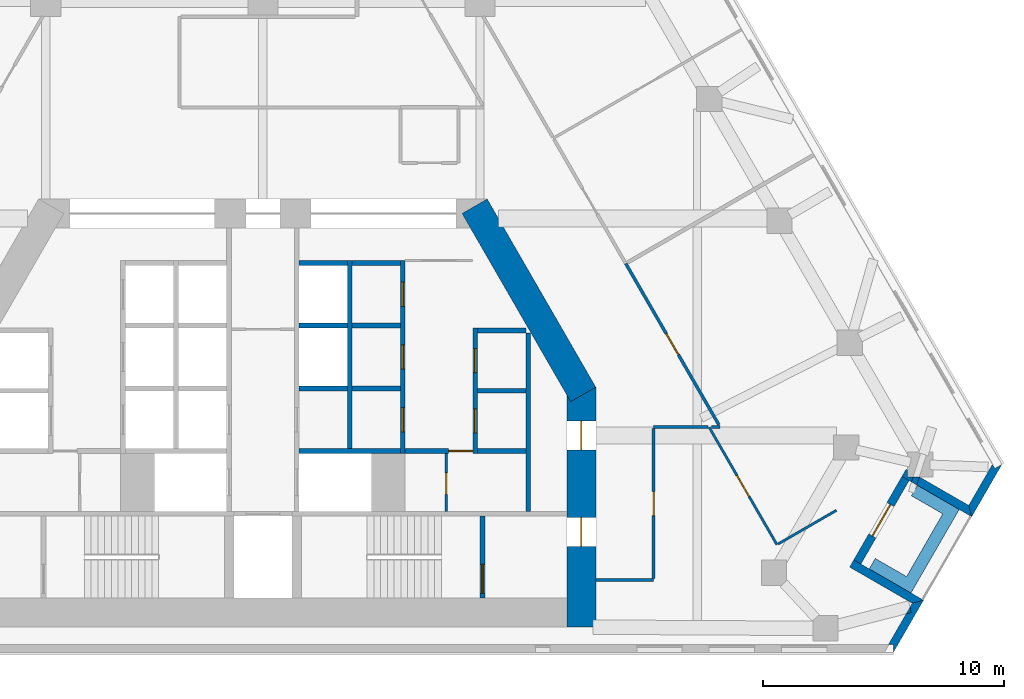
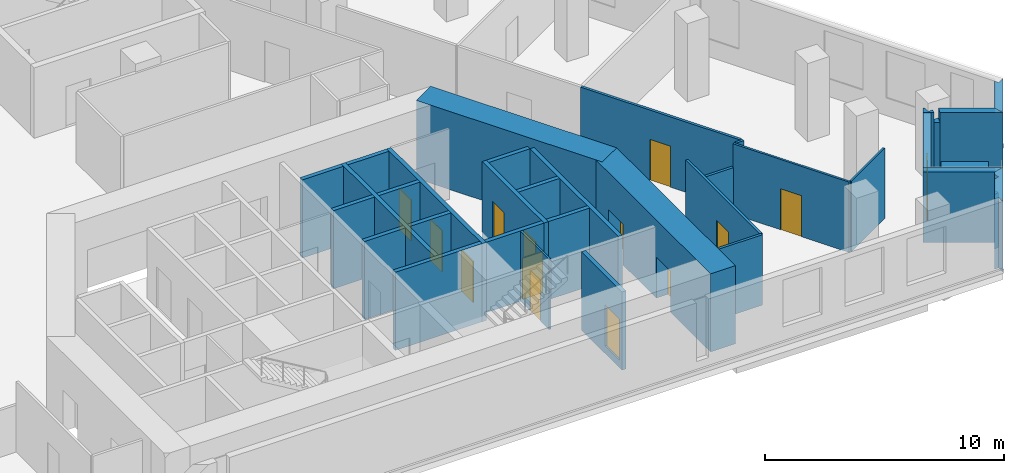
# One storey, part 6 of 9: 35 walls, 14 doors, 14 openings.
"""IFC4 building model written with IfcOpenShell, lengths in metres."""

from ifc_helpers import new_model, si_unit, direction, frame, frame_2d, origin, place, context, subcontext, project, spatial, polyline, rectangle, outline, extrude, material, layer, layer_set, type_object, element, fill, save


model = new_model("IFC4")

# Units and contexts
model_context = context("Model", 3, precision=1e-05, world=origin(), true_north=direction((0.0, 1.0)))
body_context = subcontext(model_context, "Body", "Model", "MODEL_VIEW")
ifc_project = project(units=[si_unit("LENGTHUNIT", "METRE"), si_unit("AREAUNIT", "SQUARE_METRE"), si_unit("VOLUMEUNIT", "CUBIC_METRE"), si_unit("PLANEANGLEUNIT", "RADIAN"), si_unit("MASSUNIT", "GRAM", prefix="KILO")], contexts=[model_context])

# Site, building, storey
site_placement = place(None, origin())
site = spatial("IfcSite", under=ifc_project, at=site_placement, CompositionType="ELEMENT")
building_placement = place(site_placement, origin())
building = spatial("IfcBuilding", under=site, at=building_placement, Name="Fogline Exchange Tower", CompositionType="ELEMENT")
storey_placement = place(building_placement, frame((0.0, 0.0, 104.10009765625)))
storey = spatial("IfcBuildingStorey", under=building, at=storey_placement, Name="L22", CompositionType="ELEMENT", Elevation=104.10009765625)

# Wall, opening, door
ifc_material_1 = material(Name="Blockwork partition", Category="masonry")
ifc_layer_1 = layer(ifc_material_1, 0.10009765625)
ifc_layer_set_1 = layer_set([ifc_layer_1], Name="CW10")
wall_type_1 = type_object("IfcWallType", Name="CW10", PredefinedType="PARTITIONING", material=ifc_layer_set_1)
wall_1_placement = place(storey_placement, frame((7.60009765625, 5.85009765625, 0.0), z_axis=(0.0, 0.0, 1.0), x_axis=(0.0, 1.0, 0.0)))
wall_1 = element("IfcWall", 1, at=wall_1_placement, inside=storey, type_object=wall_type_1, Name="WC partition", PredefinedType="PARTITIONING", context=body_context, shape_type="SweptSolid", body=[
    extrude(rectangle(XDim=2.39990234375, YDim=0.10009765625, at=frame_2d((1.199951171875, 0.0))), origin(), (0.0, 0.0, 1.0), 3.599853515625),
])
opening_1_placement = place(wall_1_placement, frame((0.699951171875, 0.0, 0.0)))
opening_1 = element("IfcOpeningElement", 2, at=opening_1_placement, cuts=wall_1, Name="Opening T06-C014", PredefinedType="OPENING", context=body_context, shape_type="SweptSolid", body=[
    extrude(rectangle(XDim=0.89990234375, YDim=2.10009765625, at=frame_2d((0.449951171875, 1.050048828125))), frame((0.0, 0.06005859375, 0.0), z_axis=(0.0, -1.0, 0.0), x_axis=(1.0, 0.0, 0.0)), (0.0, 0.0, 1.0), 0.1201171875),
])
ifc_material_2 = material(Name="Steel and timber fire door", Category="steel")
door_type_1 = type_object("IfcDoorType", Name="D-CS1", OperationType="SINGLE_SWING_RIGHT", PredefinedType="DOOR", material=ifc_material_2)
door_1_placement = place(opening_1_placement, origin())
door_1 = element("IfcDoor", 3, at=door_1_placement, inside=storey, type_object=door_type_1, Name="Door to Cleaner's Store", OperationType="SINGLE_SWING_LEFT", OverallHeight=2.10009765625, OverallWidth=0.89990234375, PredefinedType="DOOR", context=body_context, shape_type="SweptSolid", body=[
    extrude(rectangle(XDim=0.89990234375, YDim=2.10009765625, at=frame_2d((0.449951171875, 1.050048828125))), frame((0.0, 0.02490234375, 0.0), z_axis=(0.0, -1.0, 0.0), x_axis=(1.0, 0.0, 0.0)), (0.0, 0.0, 1.0), 0.050048828125),
])
fill(opening_1, door_1)

# Wall
ifc_material_3 = material(Name="Concrete C40", Category="concrete")
ifc_layer_2 = layer(ifc_material_3, 0.199951171875)
ifc_layer_set_2 = layer_set([ifc_layer_2], Name="CW20")
wall_type_2 = type_object("IfcWallType", Name="CW20", PredefinedType="SOLIDWALL", material=ifc_layer_set_2)
wall_2_placement = place(storey_placement, frame((11.0, 5.85009765625, 0.0), z_axis=(0.0, 0.0, 1.0), x_axis=(0.0, 1.0, 0.0)))
element("IfcWall", 4, at=wall_2_placement, inside=storey, type_object=wall_type_2, Name="Service room wall", PredefinedType="SOLIDWALL", context=body_context, shape_type="SweptSolid", body=[
    extrude(rectangle(XDim=7.39990234375, YDim=0.199951171875, at=frame_2d((3.699951171875, 0.0))), origin(), (0.0, 0.0, 1.0), 3.599853515625),
])

# Wall, opening, door
wall_3_placement = place(storey_placement, frame((5.89990234375, 8.35009765625, 0.0), z_axis=(0.0, 0.0, 1.0), x_axis=(1.0, 0.0, 0.0)))
wall_3 = element("IfcWall", 5, at=wall_3_placement, inside=storey, type_object=wall_type_2, Name="WC wall", PredefinedType="SOLIDWALL", context=body_context, shape_type="SweptSolid", body=[
    extrude(rectangle(XDim=2.800048828125, YDim=0.199951171875, at=frame_2d((1.39990234375, 0.0))), origin(), (0.0, 0.0, 1.0), 3.599853515625),
])
opening_2_placement = place(wall_3_placement, frame((1.800048828125, 0.0, 0.0)))
opening_2 = element("IfcOpeningElement", 6, at=opening_2_placement, cuts=wall_3, Name="Opening T06-C013", PredefinedType="OPENING", context=body_context, shape_type="SweptSolid", body=[
    extrude(rectangle(XDim=1.0, YDim=2.10009765625, at=frame_2d((0.5, 1.050048828125))), frame((0.0, 0.10986328125, 0.0), z_axis=(0.0, -1.0, 0.0), x_axis=(1.0, 0.0, 0.0)), (0.0, 0.0, 1.0), 0.219970703125),
])
door_type_2 = type_object("IfcDoorType", Name="D-WC1", OperationType="SINGLE_SWING_LEFT", PredefinedType="DOOR", material=ifc_material_2)
door_2_placement = place(opening_2_placement, frame((1.0, 0.0, 0.0), z_axis=(0.0, 0.0, 1.0), x_axis=(-1.0, 0.0, 0.0)))
door_2 = element("IfcDoor", 7, at=door_2_placement, inside=storey, type_object=door_type_2, Name="Door to Women's WC", OperationType="SINGLE_SWING_LEFT", OverallHeight=2.10009765625, OverallWidth=1.0, PredefinedType="DOOR", context=body_context, shape_type="SweptSolid", body=[
    extrude(rectangle(XDim=1.0, YDim=2.10009765625, at=frame_2d((0.5, 1.050048828125))), frame((0.0, 0.02490234375, 0.0), z_axis=(0.0, -1.0, 0.0), x_axis=(1.0, 0.0, 0.0)), (0.0, 0.0, 1.0), 0.050048828125),
])
fill(opening_2, door_2)

ifc_layer_3 = layer(ifc_material_3, 0.199951171875)
ifc_layer_set_3 = layer_set([ifc_layer_3], Name="CW20R")
wall_type_3 = type_object("IfcWallType", Name="CW20R", PredefinedType="SOLIDWALL", material=ifc_layer_set_3)
wall_4_placement = place(storey_placement, frame((9.10009765625, 2.25, -0.400146484375), z_axis=(0.0, 0.0, 1.0), x_axis=(0.0, 1.0, 0.0)))
wall_4 = element("IfcWall", 8, at=wall_4_placement, inside=storey, type_object=wall_type_3, Name="Stair enclosure wall", PredefinedType="SOLIDWALL", context=body_context, shape_type="SweptSolid", body=[
    extrude(rectangle(XDim=3.39990234375, YDim=0.199951171875, at=frame_2d((1.699951171875, 0.0))), origin(), (0.0, 0.0, 1.0), 4.0),
])
opening_3_placement = place(wall_4_placement, frame((0.199951171875, 0.0, 0.39990234375)))
opening_3 = element("IfcOpeningElement", 9, at=opening_3_placement, cuts=wall_4, Name="Opening T06-C016", PredefinedType="OPENING", context=body_context, shape_type="SweptSolid", body=[
    extrude(rectangle(XDim=1.199951171875, YDim=2.10009765625, at=frame_2d((0.60009765625, 1.050048828125))), frame((0.0, 0.10986328125, 0.0), z_axis=(0.0, -1.0, 0.0), x_axis=(1.0, 0.0, 0.0)), (0.0, 0.0, 1.0), 0.219970703125),
])
door_type_3 = type_object("IfcDoorType", Name="D-ST1", OperationType="SINGLE_SWING_LEFT", PredefinedType="DOOR", material=ifc_material_2)
door_3_placement = place(opening_3_placement, origin())
door_3 = element("IfcDoor", 10, at=door_3_placement, inside=storey, type_object=door_type_3, Name="Stair door ST2", OperationType="SINGLE_SWING_LEFT", OverallHeight=2.10009765625, OverallWidth=1.199951171875, PredefinedType="DOOR", context=body_context, shape_type="SweptSolid", body=[
    extrude(rectangle(XDim=1.199951171875, YDim=2.10009765625, at=frame_2d((0.60009765625, 1.050048828125))), frame((0.0, 0.02490234375, 0.0), z_axis=(0.0, -1.0, 0.0), x_axis=(1.0, 0.0, 0.0)), (0.0, 0.0, 1.0), 0.050048828125),
])
fill(opening_3, door_3)

# Wall, openings, doors
ifc_layer_4 = layer(ifc_material_3, 0.199951171875)
ifc_layer_set_4 = layer_set([ifc_layer_4], Name="CW20S")
wall_type_4 = type_object("IfcWallType", Name="CW20S", PredefinedType="SOLIDWALL", material=ifc_layer_set_4)
wall_5_placement = place(storey_placement, frame((8.800048828125, 8.25, -0.400146484375), z_axis=(0.0, 0.0, 1.0), x_axis=(0.0, 1.0, 0.0)))
wall_5 = element("IfcWall", 11, at=wall_5_placement, inside=storey, type_object=wall_type_4, Name="Lift shaft wall", PredefinedType="SOLIDWALL", context=body_context, shape_type="SweptSolid", body=[
    extrude(rectangle(XDim=5.199951171875, YDim=0.199951171875, at=frame_2d((2.60009765625, 0.0))), origin(), (0.0, 0.0, 1.0), 4.0),
])
opening_4_placement = place(wall_5_placement, frame((0.85009765625, 0.0, 0.39990234375)))
opening_4 = element("IfcOpeningElement", 12, at=opening_4_placement, cuts=wall_5, Name="Opening T06-C001", PredefinedType="OPENING", context=body_context, shape_type="SweptSolid", body=[
    extrude(rectangle(XDim=1.0, YDim=2.10009765625, at=frame_2d((0.5, 1.050048828125))), frame((0.0, 0.10986328125, 0.0), z_axis=(0.0, -1.0, 0.0), x_axis=(1.0, 0.0, 0.0)), (0.0, 0.0, 1.0), 0.219970703125),
])
opening_5_placement = place(wall_5_placement, frame((3.35009765625, 0.0, 0.39990234375)))
opening_5 = element("IfcOpeningElement", 13, at=opening_5_placement, cuts=wall_5, Name="Opening T06-C002", PredefinedType="OPENING", context=body_context, shape_type="SweptSolid", body=[
    extrude(rectangle(XDim=1.0, YDim=2.10009765625, at=frame_2d((0.5, 1.050048828125))), frame((0.0, 0.10986328125, 0.0), z_axis=(0.0, -1.0, 0.0), x_axis=(1.0, 0.0, 0.0)), (0.0, 0.0, 1.0), 0.219970703125),
])
door_type_4 = type_object("IfcDoorType", Name="D-RM1", OperationType="SINGLE_SWING_LEFT", PredefinedType="DOOR", material=ifc_material_2)
door_4_placement = place(opening_4_placement, frame((1.0, 0.0, 0.0), z_axis=(0.0, 0.0, 1.0), x_axis=(-1.0, 0.0, 0.0)))
door_4 = element("IfcDoor", 14, at=door_4_placement, inside=storey, type_object=door_type_4, Name="Door to Library Store", OperationType="SINGLE_SWING_LEFT", OverallHeight=2.10009765625, OverallWidth=1.0, PredefinedType="DOOR", context=body_context, shape_type="SweptSolid", body=[
    extrude(rectangle(XDim=1.0, YDim=2.10009765625, at=frame_2d((0.5, 1.050048828125))), frame((0.0, 0.02490234375, 0.0), z_axis=(0.0, -1.0, 0.0), x_axis=(1.0, 0.0, 0.0)), (0.0, 0.0, 1.0), 0.050048828125),
])
fill(opening_4, door_4)
door_5_placement = place(opening_5_placement, frame((1.0, 0.0, 0.0), z_axis=(0.0, 0.0, 1.0), x_axis=(-1.0, 0.0, 0.0)))
door_5 = element("IfcDoor", 15, at=door_5_placement, inside=storey, type_object=door_type_4, Name="Door to Stationery Store", OperationType="SINGLE_SWING_LEFT", OverallHeight=2.10009765625, OverallWidth=1.0, PredefinedType="DOOR", context=body_context, shape_type="SweptSolid", body=[
    extrude(rectangle(XDim=1.0, YDim=2.10009765625, at=frame_2d((0.5, 1.050048828125))), frame((0.0, 0.02490234375, 0.0), z_axis=(0.0, -1.0, 0.0), x_axis=(1.0, 0.0, 0.0)), (0.0, 0.0, 1.0), 0.050048828125),
])
fill(opening_5, door_5)

wall_6_placement = place(storey_placement, frame((5.800048828125, 8.25, -0.400146484375), z_axis=(0.0, 0.0, 1.0), x_axis=(0.0, 1.0, 0.0)))
wall_6 = element("IfcWall", 16, at=wall_6_placement, inside=storey, type_object=wall_type_4, Name="Lift shaft wall", PredefinedType="SOLIDWALL", context=body_context, shape_type="SweptSolid", body=[
    extrude(rectangle(XDim=8.0, YDim=0.199951171875, at=frame_2d((4.0, 0.0))), origin(), (0.0, 0.0, 1.0), 4.0),
])
opening_6_placement = place(wall_6_placement, frame((0.89990234375, 0.0, 0.39990234375)))
opening_6 = element("IfcOpeningElement", 17, at=opening_6_placement, cuts=wall_6, Name="Opening T06-C003", PredefinedType="OPENING", context=body_context, shape_type="SweptSolid", body=[
    extrude(rectangle(XDim=1.0, YDim=2.10009765625, at=frame_2d((0.5, 1.050048828125))), frame((0.0, 0.10986328125, 0.0), z_axis=(0.0, -1.0, 0.0), x_axis=(1.0, 0.0, 0.0)), (0.0, 0.0, 1.0), 0.219970703125),
])
opening_7_placement = place(wall_6_placement, frame((3.5, 0.0, 0.39990234375)))
opening_7 = element("IfcOpeningElement", 18, at=opening_7_placement, cuts=wall_6, Name="Opening T06-C004", PredefinedType="OPENING", context=body_context, shape_type="SweptSolid", body=[
    extrude(rectangle(XDim=1.0, YDim=2.10009765625, at=frame_2d((0.5, 1.050048828125))), frame((0.0, 0.10986328125, 0.0), z_axis=(0.0, -1.0, 0.0), x_axis=(1.0, 0.0, 0.0)), (0.0, 0.0, 1.0), 0.219970703125),
])
opening_8_placement = place(wall_6_placement, frame((6.10009765625, 0.0, 0.39990234375)))
opening_8 = element("IfcOpeningElement", 19, at=opening_8_placement, cuts=wall_6, Name="Opening T06-C005", PredefinedType="OPENING", context=body_context, shape_type="SweptSolid", body=[
    extrude(rectangle(XDim=1.0, YDim=2.10009765625, at=frame_2d((0.5, 1.050048828125))), frame((0.0, 0.10986328125, 0.0), z_axis=(0.0, -1.0, 0.0), x_axis=(1.0, 0.0, 0.0)), (0.0, 0.0, 1.0), 0.219970703125),
])
door_6_placement = place(opening_6_placement, origin())
door_6 = element("IfcDoor", 20, at=door_6_placement, inside=storey, type_object=door_type_4, Name="Door to Records Store", OperationType="SINGLE_SWING_RIGHT", OverallHeight=2.10009765625, OverallWidth=1.0, PredefinedType="DOOR", context=body_context, shape_type="SweptSolid", body=[
    extrude(rectangle(XDim=1.0, YDim=2.10009765625, at=frame_2d((0.5, 1.050048828125))), frame((0.0, 0.02490234375, 0.0), z_axis=(0.0, -1.0, 0.0), x_axis=(1.0, 0.0, 0.0)), (0.0, 0.0, 1.0), 0.050048828125),
])
fill(opening_6, door_6)
door_7_placement = place(opening_7_placement, origin())
door_7 = element("IfcDoor", 21, at=door_7_placement, inside=storey, type_object=door_type_4, Name="Door to Riser Room", OperationType="SINGLE_SWING_LEFT", OverallHeight=2.10009765625, OverallWidth=1.0, PredefinedType="DOOR", context=body_context, shape_type="SweptSolid", body=[
    extrude(rectangle(XDim=1.0, YDim=2.10009765625, at=frame_2d((0.5, 1.050048828125))), frame((0.0, 0.02490234375, 0.0), z_axis=(0.0, -1.0, 0.0), x_axis=(1.0, 0.0, 0.0)), (0.0, 0.0, 1.0), 0.050048828125),
])
fill(opening_7, door_7)
door_8_placement = place(opening_8_placement, origin())
door_8 = element("IfcDoor", 22, at=door_8_placement, inside=storey, type_object=door_type_4, Name="Door to Plant Room", OperationType="SINGLE_SWING_LEFT", OverallHeight=2.10009765625, OverallWidth=1.0, PredefinedType="DOOR", context=body_context, shape_type="SweptSolid", body=[
    extrude(rectangle(XDim=1.0, YDim=2.10009765625, at=frame_2d((0.5, 1.050048828125))), frame((0.0, 0.02490234375, 0.0), z_axis=(0.0, -1.0, 0.0), x_axis=(1.0, 0.0, 0.0)), (0.0, 0.0, 1.0), 0.050048828125),
])
fill(opening_8, door_8)

# Walls
wall_7_placement = place(storey_placement, frame((3.60009765625, 8.449951171875, -0.400146484375), z_axis=(0.0, 0.0, 1.0), x_axis=(0.0, 1.0, 0.0)))
element("IfcWall", 23, at=wall_7_placement, inside=storey, type_object=wall_type_4, Name="Lift shaft wall", PredefinedType="SOLIDWALL", context=body_context, shape_type="SweptSolid", body=[
    extrude(rectangle(XDim=7.800048828125, YDim=0.199951171875, at=frame_2d((3.89990234375, 0.0))), origin(), (0.0, 0.0, 1.0), 4.0),
])
wall_8_placement = place(storey_placement, frame((8.89990234375, 8.35009765625, -0.400146484375), z_axis=(0.0, 0.0, 1.0), x_axis=(1.0, 0.0, 0.0)))
element("IfcWall", 24, at=wall_8_placement, inside=storey, type_object=wall_type_4, Name="Lift shaft wall", PredefinedType="SOLIDWALL", context=body_context, shape_type="SweptSolid", body=[
    extrude(rectangle(XDim=2.0, YDim=0.199951171875, at=frame_2d((1.0, 0.0))), origin(), (0.0, 0.0, 1.0), 4.0),
])
wall_9_placement = place(storey_placement, frame((1.5, 8.35009765625, -0.400146484375), z_axis=(0.0, 0.0, 1.0), x_axis=(1.0, 0.0, 0.0)))
element("IfcWall", 25, at=wall_9_placement, inside=storey, type_object=wall_type_4, Name="Lift shaft wall", PredefinedType="SOLIDWALL", context=body_context, shape_type="SweptSolid", body=[
    extrude(rectangle(XDim=4.199951171875, YDim=0.199951171875, at=frame_2d((2.10009765625, 0.0))), origin(), (0.0, 0.0, 1.0), 4.0),
])
for number, where, z_axis, x_axis, name in (
    (26, (8.89990234375, 10.85009765625, -0.400146484375), (0.0, 0.0, 1.0), (1.0, 0.0, 0.0), "Lift shaft wall"),
    (27, (8.89990234375, 13.35009765625, -0.400146484375), (0.0, 0.0, 1.0), (1.0, 0.0, 0.0), "Lift shaft wall"),
    (28, (3.699951171875, 10.949951171875, -0.400146484375), (0.0, 0.0, 1.0), (1.0, 0.0, 0.0), "Lift shaft wall"),
    (29, (3.699951171875, 13.550048828125, -0.400146484375), (0.0, 0.0, 1.0), (1.0, 0.0, 0.0), "Lift shaft wall"),
    (30, (3.699951171875, 16.14990234375, -0.400146484375), (0.0, 0.0, 1.0), (1.0, 0.0, 0.0), "Lift shaft wall"),
    (31, (1.5, 10.949951171875, -0.400146484375), (0.0, 0.0, 1.0), (1.0, 0.0, 0.0), "Lift shaft wall"),
    (32, (1.5, 13.550048828125, -0.400146484375), (0.0, 0.0, 1.0), (1.0, 0.0, 0.0), "Lift shaft wall"),
    (33, (1.5, 16.14990234375, -0.400146484375), (0.0, 0.0, 1.0), (1.0, 0.0, 0.0), "Lift shaft wall"),
):
    element("IfcWall", number, at=place(storey_placement, frame(where, z_axis=z_axis, x_axis=x_axis)), inside=storey, type_object=wall_type_4, Name=name, PredefinedType="SOLIDWALL", context=body_context, shape_type="SweptSolid", body=[
        extrude(rectangle(XDim=2.0, YDim=0.199951171875, at=frame_2d((1.0, 0.0))), origin(), (0.0, 0.0, 1.0), 4.0),
    ])
ifc_material_4 = material(Name="Brick masonry", Category="masonry")
ifc_layer_5 = layer(ifc_material_4, 0.340087890625)
ifc_layer_set_5 = layer_set([ifc_layer_5], Name="FW1")
wall_type_5 = type_object("IfcWallType", Name="FW1", PredefinedType="SOLIDWALL", material=ifc_layer_set_5)
wall_10_placement = place(storey_placement, origin())
element("IfcWall", 34, at=wall_10_placement, inside=storey, type_object=wall_type_5, Name="Brick wall L22 SE-c1", PredefinedType="SOLIDWALL", context=body_context, shape_type="SweptSolid", body=[
    extrude(outline(polyline([(26.828369140625, 1.876708984375), (26.884765625, 1.6572265625), (26.669677734375, 1.60205078125), (26.828369140625, 1.876708984375)])), origin(), (0.0, 0.0, 1.0), 2.7998046875),
])
wall_11_placement = place(storey_placement, origin())
element("IfcWall", 35, at=wall_11_placement, inside=storey, type_object=wall_type_5, Name="Brick wall L22 SE-c1", PredefinedType="SOLIDWALL", context=body_context, shape_type="SweptSolid", body=[
    extrude(outline(polyline([(26.137939453125, -0.001220703125), (26.137451171875, -0.0009765625), (26.137451171875, 0.33935546875), (25.940673828125, 0.33935546875), (26.669677734375, 1.60205078125), (26.884765625, 1.6572265625), (26.828369140625, 1.876708984375), (26.923095703125, 2.041015625), (27.388916015625, 2.166015625), (27.38916015625, 2.165771484375), (26.137939453125, -0.001220703125)])), origin(), (0.0, 0.0, 1.0), 3.599853515625),
])
wall_12_placement = place(storey_placement, origin())
element("IfcWall", 36, at=wall_12_placement, inside=storey, type_object=wall_type_5, Name="Brick wall L22 SE-s1", PredefinedType="SOLIDWALL", context=body_context, shape_type="SweptSolid", body=[
    extrude(outline(polyline([(24.32470703125, 3.540283203125), (24.495361328125, 3.8359375), (24.790283203125, 3.66552734375), (27.38916015625, 2.1650390625), (27.38916015625, 2.164794921875), (26.923583984375, 2.0400390625), (24.32470703125, 3.540283203125)])), origin(), (0.0, 0.0, 1.0), 3.599853515625),
])

# Wall, opening, door
wall_13_placement = place(storey_placement, frame((24.642822265625, 3.75, 0.0), z_axis=(0.0, 0.0, 1.0), x_axis=(0.49999894854, 0.866026010844, 0.0)))
wall_13 = element("IfcWall", 37, at=wall_13_placement, inside=storey, type_object=wall_type_5, Name="Brick wall L22 SE-bk", PredefinedType="SOLIDWALL", context=body_context, shape_type="SweptSolid", body=[
    extrude(rectangle(XDim=4.0, YDim=0.340087890625, at=frame_2d((2.0, 0.0))), origin(), (0.0, 0.0, 1.0), 3.599853515625),
])
opening_9_placement = place(wall_13_placement, frame((1.25, 0.0, 0.0)))
opening_9 = element("IfcOpeningElement", 38, at=opening_9_placement, cuts=wall_13, Name="Opening T06-E081", PredefinedType="OPENING", context=body_context, shape_type="SweptSolid", body=[
    extrude(rectangle(XDim=1.5, YDim=2.39990234375, at=frame_2d((0.75, 1.199951171875))), frame((0.0, 0.18017578125, 0.0), z_axis=(0.0, -1.0, 0.0), x_axis=(1.0, 0.0, 0.0)), (0.0, 0.0, 1.0), 0.360107421875),
])
ifc_material_5 = material(Name="Aluminium and glass", Category="aluminium")
door_type_5 = type_object("IfcDoorType", Name="ED4", OperationType="SINGLE_SWING_LEFT", PredefinedType="DOOR", material=ifc_material_5)
door_9_placement = place(opening_9_placement, frame((1.5, 0.0, 0.0), z_axis=(0.0, 0.0, 1.0), x_axis=(-1.0, 0.0, 0.0)))
door_9 = element("IfcDoor", 39, at=door_9_placement, inside=storey, type_object=door_type_5, Name="Balcony door L22 SE", OperationType="DOUBLE_DOOR_SINGLE_SWING", OverallHeight=2.39990234375, OverallWidth=1.5, PredefinedType="DOOR", context=body_context, shape_type="SweptSolid", body=[
    extrude(rectangle(XDim=1.5, YDim=2.39990234375, at=frame_2d((0.75, 1.199951171875))), frame((0.0, 0.02490234375, 0.0), z_axis=(0.0, -1.0, 0.0), x_axis=(1.0, 0.0, 0.0)), (0.0, 0.0, 1.0), 0.050048828125),
])
fill(opening_9, door_9)

# Walls
wall_14_placement = place(storey_placement, origin())
element("IfcWall", 40, at=wall_14_placement, inside=storey, type_object=wall_type_5, Name="Brick wall L22 SE-s2", PredefinedType="SOLIDWALL", context=body_context, shape_type="SweptSolid", body=[
    extrude(outline(polyline([(26.887451171875, 7.072265625), (26.9501953125, 7.269287109375), (27.212646484375, 7.269287109375), (27.10888671875, 6.9443359375), (26.887451171875, 7.072265625)])), origin(), (0.0, 0.0, 1.0), 3.099853515625),
])
wall_15_placement = place(storey_placement, origin())
element("IfcWall", 41, at=wall_15_placement, inside=storey, type_object=wall_type_5, Name="Brick wall L22 SE-s2", PredefinedType="SOLIDWALL", context=body_context, shape_type="SweptSolid", body=[
    extrude(outline(polyline([(27.10888671875, 6.9443359375), (27.212646484375, 7.269287109375), (27.228515625, 7.269287109375), (29.26416015625, 6.093994140625), (29.388916015625, 5.62841796875), (29.388671875, 5.628173828125), (27.10888671875, 6.9443359375)])), origin(), (0.0, 0.0, 1.0), 3.599853515625),
])
wall_16_placement = place(storey_placement, origin())
element("IfcWall", 42, at=wall_16_placement, inside=storey, type_object=wall_type_5, Name="Brick wall L22 SE-s2", PredefinedType="SOLIDWALL", context=body_context, shape_type="SweptSolid", body=[
    extrude(outline(polyline([(26.78955078125, 7.128662109375), (26.49462890625, 7.298828125), (26.665283203125, 7.594482421875), (26.72412109375, 7.560546875), (26.72412109375, 7.269287109375), (26.9501953125, 7.269287109375), (26.887451171875, 7.072265625), (26.78955078125, 7.128662109375)])), origin(), (0.0, 0.0, 1.0), 3.599853515625),
])
wall_17_placement = place(storey_placement, origin())
element("IfcWall", 43, at=wall_17_placement, inside=storey, type_object=wall_type_5, Name="Brick wall L22 SE-c2", PredefinedType="SOLIDWALL", context=body_context, shape_type="SweptSolid", body=[
    extrude(outline(polyline([(30.245361328125, 7.79541015625), (30.34375, 7.625), (30.638671875, 7.79541015625), (30.63916015625, 7.794921875), (29.387939453125, 5.6279296875), (29.3876953125, 5.6279296875), (29.262939453125, 6.09375), (30.245361328125, 7.79541015625)])), origin(), (0.0, 0.0, 1.0), 3.599853515625),
])
ifc_material_6 = material(Name="Concrete C30", Category="concrete")
ifc_layer_6 = layer(ifc_material_6, 0.199951171875)
ifc_layer_set_6 = layer_set([ifc_layer_6], Name="PL1")
wall_type_6 = type_object("IfcWallType", Name="PL1", PredefinedType="USERDEFINED", material=ifc_layer_set_6)
wall_18_placement = place(storey_placement, origin())
element("IfcWall", 44, at=wall_18_placement, inside=storey, type_object=wall_type_6, Name="PLANTER balcony L22 SE", ObjectType="PLANTER", PredefinedType="USERDEFINED", context=body_context, shape_type="SweptSolid", body=[
    extrude(outline(polyline([(25.136474609375, 3.465087890625), (26.435302734375, 2.715087890625), (26.435302734375, 2.715087890625), (26.868408203125, 2.465087890625), (28.868408203125, 5.92919921875), (27.136474609375, 6.92919921875), (26.886474609375, 6.49609375), (28.185302734375, 5.74609375), (26.685302734375, 3.148193359375), (25.386474609375, 3.898193359375), (25.136474609375, 3.465087890625)])), origin(), (0.0, 0.0, 1.0), 1.099853515625),
])

# Wall, opening, door
ifc_material_7 = material(Name="Plasterboard partition, 2 layers each side on steel studs", Category="steel")
ifc_layer_7 = layer(ifc_material_7, 0.10009765625)
ifc_layer_set_7 = layer_set([ifc_layer_7], Name="PW1")
wall_type_7 = type_object("IfcWallType", Name="PW1", PredefinedType="PARTITIONING", material=ifc_layer_set_7)
wall_19_placement = place(storey_placement, frame((18.498779296875, 9.340087890625, 0.0), z_axis=(0.0, 0.0, 1.0), x_axis=(0.500014308813, -0.86601714243, 0.0)))
wall_19 = element("IfcWall", 45, at=wall_19_placement, inside=storey, type_object=wall_type_7, Name="wall-L22-W044", PredefinedType="PARTITIONING", context=body_context, shape_type="SweptSolid", body=[
    extrude(rectangle(XDim=5.623779296875, YDim=0.10009765625, at=frame_2d((2.81201171875, 0.0))), origin(), (0.0, 0.0, 1.0), 3.599853515625),
])
opening_10_placement = place(wall_19_placement, frame((2.31201171875, 0.0, 0.0)))
opening_10 = element("IfcOpeningElement", 46, at=opening_10_placement, cuts=wall_19, Name="Opening T06-D019", PredefinedType="OPENING", context=body_context, shape_type="SweptSolid", body=[
    extrude(rectangle(XDim=1.0, YDim=2.10009765625, at=frame_2d((0.5, 1.050048828125))), frame((0.0, 0.06005859375, 0.0), z_axis=(0.0, -1.0, 0.0), x_axis=(1.0, 0.0, 0.0)), (0.0, 0.0, 1.0), 0.1201171875),
])
ifc_material_8 = material(Name="Timber door leaf with steel frame", Category="steel")
door_type_6 = type_object("IfcDoorType", Name="D1", OperationType="SINGLE_SWING_LEFT", PredefinedType="DOOR", material=ifc_material_8)
door_10_placement = place(opening_10_placement, frame((1.0, 0.0, 0.0), z_axis=(0.0, 0.0, 1.0), x_axis=(-1.0, 0.0, 0.0)))
door_10 = element("IfcDoor", 47, at=door_10_placement, inside=storey, type_object=door_type_6, Name="door-L22-D019", OperationType="SINGLE_SWING_RIGHT", OverallHeight=2.10009765625, OverallWidth=1.0, PredefinedType="DOOR", context=body_context, shape_type="SweptSolid", body=[
    extrude(rectangle(XDim=1.0, YDim=2.10009765625, at=frame_2d((0.5, 1.050048828125))), frame((0.0, 0.02490234375, 0.0), z_axis=(0.0, -1.0, 0.0), x_axis=(1.0, 0.0, 0.0)), (0.0, 0.0, 1.0), 0.050048828125),
])
fill(opening_10, door_10)

# Wall
wall_20_placement = place(storey_placement, frame((21.35400390625, 4.49462890625, 0.0), z_axis=(0.0, 0.0, 1.0), x_axis=(0.866024457297, 0.500001639361, 0.0)))
element("IfcWall", 48, at=wall_20_placement, inside=storey, type_object=wall_type_7, Name="wall-L22-W045", PredefinedType="PARTITIONING", context=body_context, shape_type="SweptSolid", body=[
    extrude(rectangle(XDim=2.80078125, YDim=0.10009765625, at=frame_2d((1.400390625, 0.0))), origin(), (0.0, 0.0, 1.0), 3.599853515625),
])

# Wall, opening, door
ifc_material_9 = material(Name="Plasterboard corridor partition with mineral wool, 2 layers each side")
ifc_layer_8 = layer(ifc_material_9, 0.125)
ifc_layer_set_8 = layer_set([ifc_layer_8], Name="PW2")
wall_type_8 = type_object("IfcWallType", Name="PW2", PredefinedType="PARTITIONING", material=ifc_layer_set_8)
wall_21_placement = place(storey_placement, frame((16.199951171875, 9.277587890625, 0.0), z_axis=(0.0, 0.0, 1.0), x_axis=(0.0, -1.0, 0.0)))
wall_21 = element("IfcWall", 49, at=wall_21_placement, inside=storey, type_object=wall_type_8, Name="wall-L22-W001", PredefinedType="PARTITIONING", context=body_context, shape_type="SweptSolid", body=[
    extrude(rectangle(XDim=6.215087890625, YDim=0.125, at=frame_2d((3.107421875, 0.0))), origin(), (0.0, 0.0, 1.0), 3.599853515625),
])
opening_11_placement = place(wall_21_placement, frame((2.607421875, 0.0, 0.0)))
opening_11 = element("IfcOpeningElement", 50, at=opening_11_placement, cuts=wall_21, Name="Opening T06-D001", PredefinedType="OPENING", context=body_context, shape_type="SweptSolid", body=[
    extrude(rectangle(XDim=1.0, YDim=2.10009765625, at=frame_2d((0.5, 1.050048828125))), frame((0.0, 0.072509765625, 0.0), z_axis=(0.0, -1.0, 0.0), x_axis=(1.0, 0.0, 0.0)), (0.0, 0.0, 1.0), 0.14501953125),
])
ifc_material_10 = material(Name="Fire-rated timber door leaf with steel frame", Category="steel")
door_type_7 = type_object("IfcDoorType", Name="D3", OperationType="SINGLE_SWING_LEFT", PredefinedType="DOOR", material=ifc_material_10)
door_11_placement = place(opening_11_placement, origin())
door_11 = element("IfcDoor", 51, at=door_11_placement, inside=storey, type_object=door_type_7, Name="door-L22-D001", OperationType="SINGLE_SWING_LEFT", OverallHeight=2.10009765625, OverallWidth=1.0, PredefinedType="DOOR", context=body_context, shape_type="SweptSolid", body=[
    extrude(rectangle(XDim=1.0, YDim=2.10009765625, at=frame_2d((0.5, 1.050048828125))), frame((0.0, 0.02490234375, 0.0), z_axis=(0.0, -1.0, 0.0), x_axis=(1.0, 0.0, 0.0)), (0.0, 0.0, 1.0), 0.050048828125),
])
fill(opening_11, door_11)

# Walls
wall_22_placement = place(storey_placement, frame((16.199951171875, 3.0, 0.0), z_axis=(0.0, 0.0, 1.0), x_axis=(-1.0, 0.0, 0.0)))
element("IfcWall", 52, at=wall_22_placement, inside=storey, type_object=wall_type_8, Name="wall-L22-W002", PredefinedType="PARTITIONING", context=body_context, shape_type="SweptSolid", body=[
    extrude(rectangle(XDim=2.39990234375, YDim=0.125, at=frame_2d((1.199951171875, 0.0))), origin(), (0.0, 0.0, 1.0), 3.599853515625),
])
wall_23_placement = place(storey_placement, frame((18.455078125, 9.340087890625, 0.0), z_axis=(0.0, 0.0, 1.0), x_axis=(-1.0, 0.0, 0.0)))
element("IfcWall", 53, at=wall_23_placement, inside=storey, type_object=wall_type_8, Name="wall-L22-W024", PredefinedType="PARTITIONING", context=body_context, shape_type="SweptSolid", body=[
    extrude(rectangle(XDim=2.255126953125, YDim=0.125, at=frame_2d((1.12744140625, 0.0))), origin(), (0.0, 0.0, 1.0), 2.39990234375),
])

# Wall, opening, door
wall_24_placement = place(storey_placement, frame((15.043701171875, 16.12451171875, 0.0), z_axis=(0.0, 0.0, 1.0), x_axis=(0.499983247966, -0.86603507536, 0.0)))
wall_24 = element("IfcWall", 54, at=wall_24_placement, inside=storey, type_object=wall_type_8, Name="wall-L22-W025", PredefinedType="PARTITIONING", context=body_context, shape_type="SweptSolid", body=[
    extrude(rectangle(XDim=7.725341796875, YDim=0.125, at=frame_2d((3.86279296875, 0.0))), origin(), (0.0, 0.0, 1.0), 3.599853515625),
])
opening_12_placement = place(wall_24_placement, frame((3.36279296875, 0.0, 0.0)))
opening_12 = element("IfcOpeningElement", 55, at=opening_12_placement, cuts=wall_24, Name="Opening T06-D012", PredefinedType="OPENING", context=body_context, shape_type="SweptSolid", body=[
    extrude(rectangle(XDim=1.0, YDim=2.10009765625, at=frame_2d((0.5, 1.050048828125))), frame((0.0, 0.072509765625, 0.0), z_axis=(0.0, -1.0, 0.0), x_axis=(1.0, 0.0, 0.0)), (0.0, 0.0, 1.0), 0.14501953125),
])
door_12_placement = place(opening_12_placement, origin())
door_12 = element("IfcDoor", 56, at=door_12_placement, inside=storey, type_object=door_type_7, Name="door-L22-D012", OperationType="SINGLE_SWING_RIGHT", OverallHeight=2.10009765625, OverallWidth=1.0, PredefinedType="DOOR", context=body_context, shape_type="SweptSolid", body=[
    extrude(rectangle(XDim=1.0, YDim=2.10009765625, at=frame_2d((0.5, 1.050048828125))), frame((0.0, 0.02490234375, 0.0), z_axis=(0.0, -1.0, 0.0), x_axis=(1.0, 0.0, 0.0)), (0.0, 0.0, 1.0), 0.050048828125),
])
fill(opening_12, door_12)

# Wall
wall_25_placement = place(storey_placement, frame((18.960693359375, 9.340087890625, 0.0), z_axis=(0.0, 0.0, 1.0), x_axis=(-1.0, 0.0, 0.0)))
element("IfcWall", 57, at=wall_25_placement, inside=storey, type_object=wall_type_8, Name="wall-L22-W026", PredefinedType="PARTITIONING", context=body_context, shape_type="SweptSolid", body=[
    extrude(rectangle(XDim=0.36767578125, YDim=0.125, at=frame_2d((0.183837890625, 0.0))), origin(), (0.0, 0.0, 1.0), 3.599853515625),
])

# Wall, openings, doors
ifc_material_11 = material(Name="Concrete C60", Category="concrete")
ifc_layer_9 = layer(ifc_material_11, 1.199951171875)
ifc_layer_set_9 = layer_set([ifc_layer_9], Name="SW02")
wall_type_9 = type_object("IfcWallType", Name="SW02", PredefinedType="SHEAR", material=ifc_layer_set_9)
wall_26_placement = place(storey_placement, frame((13.199951171875, 1.050048828125, 0.0), z_axis=(0.0, 0.0, 1.0), x_axis=(0.0, 1.0, 0.0)))
wall_26 = element("IfcWall", 58, at=wall_26_placement, inside=storey, type_object=wall_type_9, Name="L22-W902", PredefinedType="SHEAR", context=body_context, shape_type="SweptSolid", body=[
    extrude(rectangle(XDim=9.948974609375, YDim=1.199951171875, at=frame_2d((4.974609375, 0.0))), origin(), (0.0, 0.0, 1.0), 4.0),
])
opening_13_placement = place(wall_26_placement, frame((3.35009765625, 0.0, 0.0)))
opening_13 = element("IfcOpeningElement", 59, at=opening_13_placement, cuts=wall_26, Name="Opening T06-C015", PredefinedType="OPENING", context=body_context, shape_type="SweptSolid", body=[
    extrude(rectangle(XDim=1.199951171875, YDim=2.10009765625, at=frame_2d((0.60009765625, 1.050048828125))), frame((0.0, 0.60986328125, 0.0), z_axis=(0.0, -1.0, 0.0), x_axis=(1.0, 0.0, 0.0)), (0.0, 0.0, 1.0), 1.219970703125),
])
opening_14_placement = place(wall_26_placement, frame((7.35009765625, 0.0, 0.0)))
opening_14 = element("IfcOpeningElement", 60, at=opening_14_placement, cuts=wall_26, Name="Opening T06-C017", PredefinedType="OPENING", context=body_context, shape_type="SweptSolid", body=[
    extrude(rectangle(XDim=1.199951171875, YDim=2.10009765625, at=frame_2d((0.60009765625, 1.050048828125))), frame((0.0, 0.60986328125, 0.0), z_axis=(0.0, -1.0, 0.0), x_axis=(1.0, 0.0, 0.0)), (0.0, 0.0, 1.0), 1.219970703125),
])
door_type_8 = type_object("IfcDoorType", Name="D-FR1", OperationType="SINGLE_SWING_RIGHT", PredefinedType="DOOR", material=ifc_material_2)
door_13_placement = place(opening_13_placement, origin())
door_13 = element("IfcDoor", 61, at=door_13_placement, inside=storey, type_object=door_type_8, Name="Front room door ST2", OperationType="SINGLE_SWING_RIGHT", OverallHeight=2.10009765625, OverallWidth=1.199951171875, PredefinedType="DOOR", context=body_context, shape_type="SweptSolid", body=[
    extrude(rectangle(XDim=1.199951171875, YDim=2.10009765625, at=frame_2d((0.60009765625, 1.050048828125))), frame((0.0, 0.02490234375, 0.0), z_axis=(0.0, -1.0, 0.0), x_axis=(1.0, 0.0, 0.0)), (0.0, 0.0, 1.0), 0.050048828125),
])
fill(opening_13, door_13)
door_type_9 = type_object("IfcDoorType", Name="D-SV1", OperationType="SINGLE_SWING_LEFT", PredefinedType="DOOR", material=ifc_material_2)
door_14_placement = place(opening_14_placement, origin())
door_14 = element("IfcDoor", 62, at=door_14_placement, inside=storey, type_object=door_type_9, Name="Service door E", OperationType="SINGLE_SWING_RIGHT", OverallHeight=2.10009765625, OverallWidth=1.199951171875, PredefinedType="DOOR", context=body_context, shape_type="SweptSolid", body=[
    extrude(rectangle(XDim=1.199951171875, YDim=2.10009765625, at=frame_2d((0.60009765625, 1.050048828125))), frame((0.0, 0.02490234375, 0.0), z_axis=(0.0, -1.0, 0.0), x_axis=(1.0, 0.0, 0.0)), (0.0, 0.0, 1.0), 0.050048828125),
])
fill(opening_14, door_14)

# Wall
wall_27_placement = place(storey_placement, frame((13.280517578125, 10.698974609375, 0.0), z_axis=(0.0, 0.0, 1.0), x_axis=(-0.499998513025, 0.866026262288, 0.0)))
element("IfcWall", 63, at=wall_27_placement, inside=storey, type_object=wall_type_9, Name="L22-W903", PredefinedType="SHEAR", context=body_context, shape_type="SweptSolid", body=[
    extrude(rectangle(XDim=9.0078125, YDim=1.199951171875, at=frame_2d((4.50390625, 0.0))), origin(), (0.0, 0.0, 1.0), 4.0),
])

save(model, "model.ifc")
